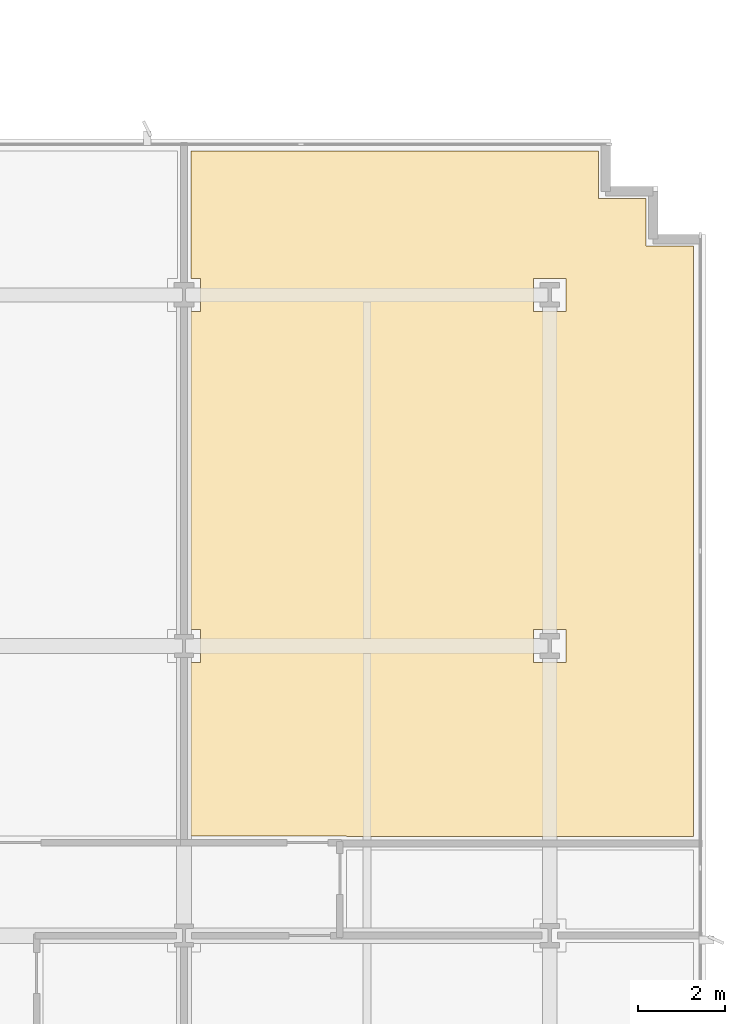
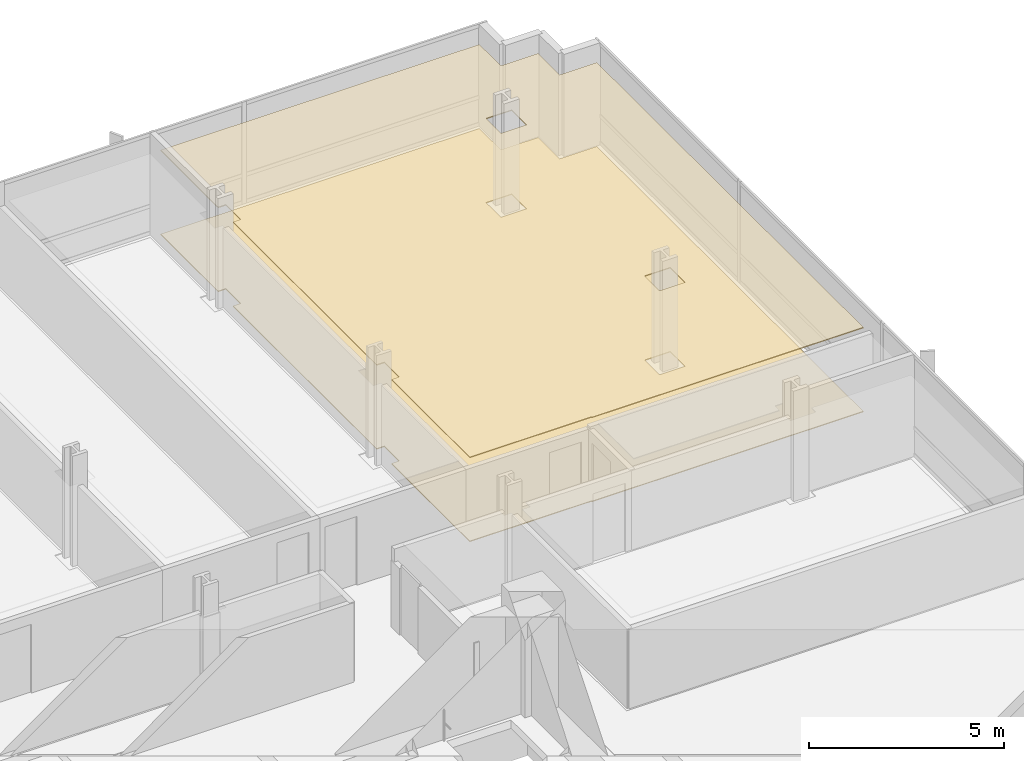
# One storey, part 20 of 21: 2 coverings.
"""IFC4 building model written with IfcOpenShell, lengths in metres."""

from ifc_helpers import new_model, si_unit, direction, frame, origin, place, context, subcontext, project, spatial, polyline, outline, extrude, material, layer, layer_set, type_object, element, save


model = new_model("IFC4")

# Units and contexts
model_context = context("Model", 3, precision=1e-05, world=origin(), true_north=direction((0.0, 1.0)))
body_context = subcontext(model_context, "Body", "Model", "MODEL_VIEW")
ifc_project = project(units=[si_unit("LENGTHUNIT", "METRE"), si_unit("AREAUNIT", "SQUARE_METRE"), si_unit("VOLUMEUNIT", "CUBIC_METRE"), si_unit("PLANEANGLEUNIT", "RADIAN"), si_unit("MASSUNIT", "GRAM", prefix="KILO")], contexts=[model_context])

# Site, building, storey
site_placement = place(None, origin())
site = spatial("IfcSite", under=ifc_project, at=site_placement, CompositionType="ELEMENT")
building_placement = place(site_placement, origin())
building = spatial("IfcBuilding", under=site, at=building_placement, Name="Solmavex Isthmus Hotel", CompositionType="ELEMENT")
storey_placement = place(building_placement, frame((0.0, 0.0, 54.0)))
storey = spatial("IfcBuildingStorey", under=building, at=storey_placement, Name="L14", CompositionType="ELEMENT", Elevation=54.0)

# Coverings
ifc_material_1 = material(Name="Gypsum plasterboard lining", Category="gypsum")
ifc_layer_1 = layer(ifc_material_1, 0.030029296875)
ifc_layer_set_1 = layer_set([ifc_layer_1], Name="Gypsum plasterboard lining")
covering_type_1 = type_object("IfcCoveringType", Name="COV-CEIL-GYP", PredefinedType="CEILING", material=ifc_layer_set_1)
covering_1_placement = place(storey_placement, frame((0.0, 0.0, 2.6201171875)))
element("IfcCovering", 1, at=covering_1_placement, inside=storey, type_object=covering_type_1, Name="Suspended Acoustic Ceiling L14-RM06", PredefinedType="CEILING", context=body_context, shape_type="SweptSolid", body=[
    extrude(outline(polyline([(18.10693359375, 9.16796875), (18.33203125, 9.16796875), (18.33203125, 8.407958984375), (18.10693359375, 8.407958984375), (18.10693359375, 4.405029296875), (21.70703125, 4.405029296875), (21.70703125, 4.385009765625), (29.72509765625, 4.385009765625), (29.72509765625, 18.02490234375), (28.625, 18.02490234375), (28.625, 19.125), (27.52490234375, 19.125), (27.52490234375, 20.22509765625), (18.10693359375, 20.22509765625), (18.10693359375, 17.280029296875), (18.33203125, 17.280029296875), (18.33203125, 16.52001953125), (18.10693359375, 16.52001953125), (18.10693359375, 9.16796875)]), holes=[polyline([(26.02001953125, 8.407958984375), (26.02001953125, 9.16796875), (26.780029296875, 9.16796875), (26.780029296875, 8.407958984375), (26.02001953125, 8.407958984375)]), polyline([(26.02001953125, 16.52001953125), (26.02001953125, 17.280029296875), (26.780029296875, 17.280029296875), (26.780029296875, 16.52001953125), (26.02001953125, 16.52001953125)])]), origin(), (0.0, 0.0, 1.0), 0.02978515625),
])
ifc_material_2 = material(Name="Travertine natural stone", Category="masonry")
ifc_layer_2 = layer(ifc_material_2, 0.02490234375)
ifc_layer_set_2 = layer_set([ifc_layer_2], Name="Travertine natural stone")
covering_type_2 = type_object("IfcCoveringType", Name="COV-FLOR-STN", PredefinedType="FLOORING", material=ifc_layer_set_2)
covering_2_placement = place(storey_placement, origin())
element("IfcCovering", 2, at=covering_2_placement, inside=storey, type_object=covering_type_2, Name="Stone and Timber Floor Finish L14-RM06", PredefinedType="FLOORING", context=body_context, shape_type="SweptSolid", body=[
    extrude(outline(polyline([(18.10693359375, 9.16796875), (18.33203125, 9.16796875), (18.33203125, 8.407958984375), (18.10693359375, 8.407958984375), (18.10693359375, 4.405029296875), (21.70703125, 4.405029296875), (21.70703125, 4.385009765625), (29.72509765625, 4.385009765625), (29.72509765625, 18.02490234375), (28.625, 18.02490234375), (28.625, 19.125), (27.52490234375, 19.125), (27.52490234375, 20.22509765625), (18.10693359375, 20.22509765625), (18.10693359375, 17.280029296875), (18.33203125, 17.280029296875), (18.33203125, 16.52001953125), (18.10693359375, 16.52001953125), (18.10693359375, 9.16796875)]), holes=[polyline([(26.02001953125, 8.407958984375), (26.02001953125, 9.16796875), (26.780029296875, 9.16796875), (26.780029296875, 8.407958984375), (26.02001953125, 8.407958984375)]), polyline([(26.02001953125, 16.52001953125), (26.02001953125, 17.280029296875), (26.780029296875, 17.280029296875), (26.780029296875, 16.52001953125), (26.02001953125, 16.52001953125)])]), origin(), (0.0, 0.0, 1.0), 0.02490234375),
])

save(model, "model.ifc")
